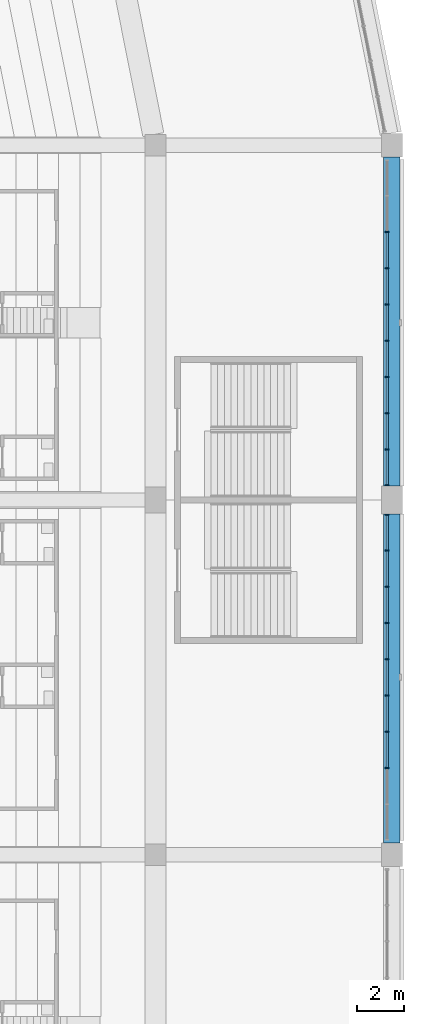
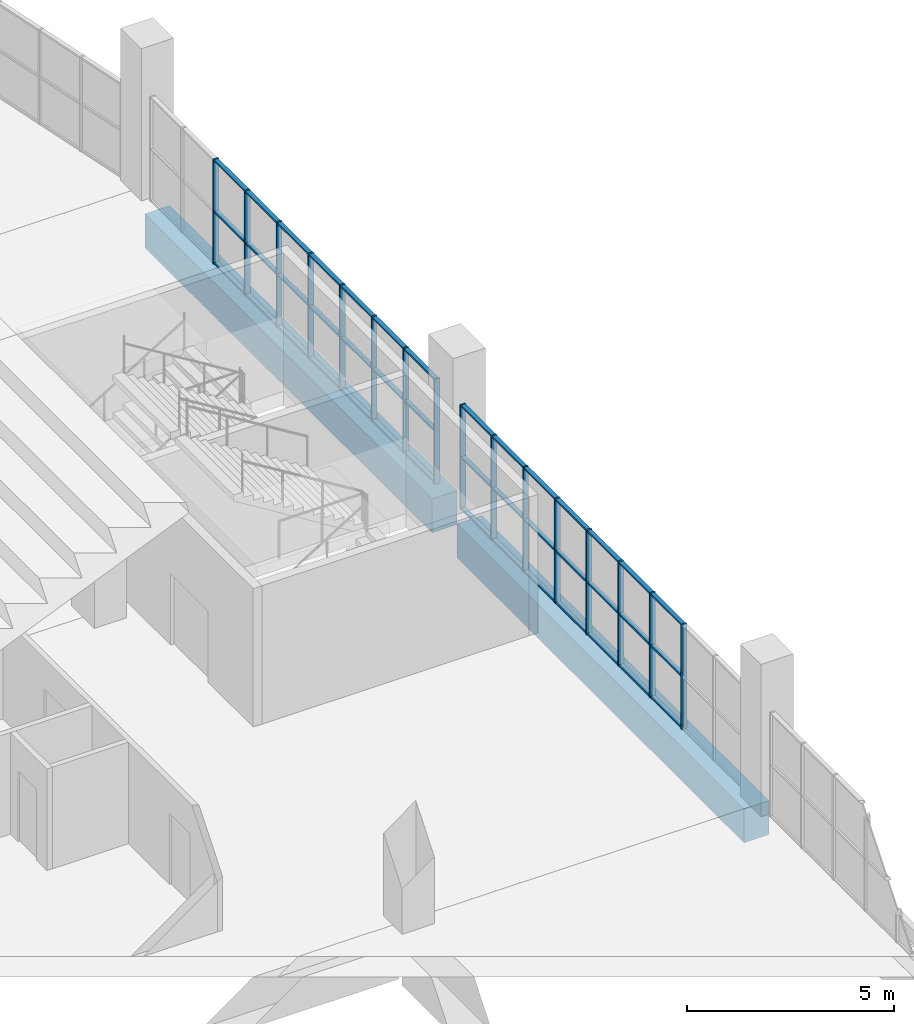
# One storey, part 55 of 249: 58 members, 2 beams, 2 elements without a shape of their own.
"""IFC4 building model written with IfcOpenShell, lengths in metres."""

from ifc_helpers import new_model, si_unit, direction, frame, origin, origin_2d, place, context, subcontext, project, spatial, rectangle, extrude, material, material_profile, profile_set, type_object, element, aggregate, save


model = new_model("IFC4")

# Units and contexts
model_context = context("Model", 3, precision=1e-05, world=origin(), true_north=direction((0.0, 1.0)))
body_context = subcontext(model_context, "Body", "Model", "MODEL_VIEW")
ifc_project = project(units=[si_unit("LENGTHUNIT", "METRE"), si_unit("AREAUNIT", "SQUARE_METRE"), si_unit("VOLUMEUNIT", "CUBIC_METRE"), si_unit("PLANEANGLEUNIT", "RADIAN"), si_unit("MASSUNIT", "GRAM", prefix="KILO")], contexts=[model_context])

# Site, building, storey
site_placement = place(None, origin())
site = spatial("IfcSite", under=ifc_project, at=site_placement, CompositionType="ELEMENT")
building_placement = place(site_placement, origin())
building = spatial("IfcBuilding", under=site, at=building_placement, Name="Ogive Plaza Stadium", CompositionType="ELEMENT")
storey_placement = place(building_placement, frame((0.0, 0.0, 13.5)))
storey = spatial("IfcBuildingStorey", under=building, at=storey_placement, Name="L03", CompositionType="ELEMENT", Elevation=13.5)

# Curtain wall, members
ifc_material_1 = material(Name="Bronze-anodised aluminium with laminated glass", Category="aluminium")
curtain_wall_type = type_object("IfcCurtainWallType", Name="Lancet curtain wall", PredefinedType="NOTDEFINED", material=ifc_material_1)
curtain_wall_1_placement = place(storey_placement, origin())
curtain_wall_1 = element("IfcCurtainWall", 1, at=curtain_wall_1_placement, inside=storey, type_object=curtain_wall_type, Name="CURTAIN WALL B01 L03", PredefinedType="NOTDEFINED")
ifc_material_2 = material(Name="Bronze-anodised aluminium", Category="aluminium")
ifc_material_profile_1 = material_profile(ifc_material_2, rectangle(XDim=0.14990234375, YDim=0.050048828125, at=origin_2d()), Name="AL 150x50")
ifc_profile_set_1 = profile_set([ifc_material_profile_1], Name="Bronze-anodised aluminium")
member_type_1 = type_object("IfcMemberType", Name="Curtain wall mullion 50x150", PredefinedType="MULLION", material=ifc_profile_set_1)
member_1_placement = place(storey_placement, frame((83.800048828125, 48.833251953125, 0.0), z_axis=(0.0, 0.0, 1.0), x_axis=(1.0, 0.0, 0.0)))
member_1 = element("IfcMember", 2, at=member_1_placement, type_object=member_type_1, Name="CW-B01-L03 mullion 3", PredefinedType="MULLION", context=body_context, shape_type="SweptSolid", body=[
    extrude(rectangle(XDim=0.14990234375, YDim=0.050048828125, at=origin_2d()), origin(), (0.0, 0.0, 1.0), 3.090087890625),
])
member_2_placement = place(storey_placement, frame((83.800048828125, 47.300048828125, 0.0), z_axis=(0.0, 0.0, 1.0), x_axis=(1.0, 0.0, 0.0)))
member_2 = element("IfcMember", 3, at=member_2_placement, type_object=member_type_1, Name="CW-B01-L03 mullion 4", PredefinedType="MULLION", context=body_context, shape_type="SweptSolid", body=[
    extrude(rectangle(XDim=0.14990234375, YDim=0.050048828125, at=origin_2d()), origin(), (0.0, 0.0, 1.0), 3.090087890625),
])
member_3_placement = place(storey_placement, frame((83.800048828125, 45.7666015625, 0.0), z_axis=(0.0, 0.0, 1.0), x_axis=(1.0, 0.0, 0.0)))
member_3 = element("IfcMember", 4, at=member_3_placement, type_object=member_type_1, Name="CW-B01-L03 mullion 5", PredefinedType="MULLION", context=body_context, shape_type="SweptSolid", body=[
    extrude(rectangle(XDim=0.14990234375, YDim=0.050048828125, at=origin_2d()), origin(), (0.0, 0.0, 1.0), 3.090087890625),
])
member_4_placement = place(storey_placement, frame((83.800048828125, 44.2333984375, 0.0), z_axis=(0.0, 0.0, 1.0), x_axis=(1.0, 0.0, 0.0)))
member_4 = element("IfcMember", 5, at=member_4_placement, type_object=member_type_1, Name="CW-B01-L03 mullion 6", PredefinedType="MULLION", context=body_context, shape_type="SweptSolid", body=[
    extrude(rectangle(XDim=0.14990234375, YDim=0.050048828125, at=origin_2d()), origin(), (0.0, 0.0, 1.0), 3.090087890625),
])
member_5_placement = place(storey_placement, frame((83.800048828125, 42.699951171875, 0.0), z_axis=(0.0, 0.0, 1.0), x_axis=(1.0, 0.0, 0.0)))
member_5 = element("IfcMember", 6, at=member_5_placement, type_object=member_type_1, Name="CW-B01-L03 mullion 7", PredefinedType="MULLION", context=body_context, shape_type="SweptSolid", body=[
    extrude(rectangle(XDim=0.14990234375, YDim=0.050048828125, at=origin_2d()), origin(), (0.0, 0.0, 1.0), 3.090087890625),
])
member_6_placement = place(storey_placement, frame((83.800048828125, 41.166748046875, 0.0), z_axis=(0.0, 0.0, 1.0), x_axis=(1.0, 0.0, 0.0)))
member_6 = element("IfcMember", 7, at=member_6_placement, type_object=member_type_1, Name="CW-B01-L03 mullion 8", PredefinedType="MULLION", context=body_context, shape_type="SweptSolid", body=[
    extrude(rectangle(XDim=0.14990234375, YDim=0.050048828125, at=origin_2d()), origin(), (0.0, 0.0, 1.0), 3.090087890625),
])
member_7_placement = place(storey_placement, frame((83.800048828125, 39.63330078125, 0.0), z_axis=(0.0, 0.0, 1.0), x_axis=(1.0, 0.0, 0.0)))
member_7 = element("IfcMember", 8, at=member_7_placement, type_object=member_type_1, Name="CW-B01-L03 mullion 9", PredefinedType="MULLION", context=body_context, shape_type="SweptSolid", body=[
    extrude(rectangle(XDim=0.14990234375, YDim=0.050048828125, at=origin_2d()), origin(), (0.0, 0.0, 1.0), 3.090087890625),
])
member_8_placement = place(storey_placement, frame((83.800048828125, 38.125, 0.0), z_axis=(0.0, 0.0, 1.0), x_axis=(1.0, 0.0, 0.0)))
member_8 = element("IfcMember", 9, at=member_8_placement, type_object=member_type_1, Name="CW-B01-L03 mullion 10", PredefinedType="MULLION", context=body_context, shape_type="SweptSolid", body=[
    extrude(rectangle(XDim=0.14990234375, YDim=0.050048828125, at=origin_2d()), origin(), (0.0, 0.0, 1.0), 3.090087890625),
])

curtain_wall_2_placement = place(storey_placement, origin())
curtain_wall_2 = element("IfcCurtainWall", 10, at=curtain_wall_2_placement, inside=storey, type_object=curtain_wall_type, Name="CURTAIN WALL B02 L03", PredefinedType="NOTDEFINED")
member_9_placement = place(storey_placement, frame((83.800048828125, 36.875, 0.0), z_axis=(0.0, 0.0, 1.0), x_axis=(1.0, 0.0, 0.0)))
member_9 = element("IfcMember", 11, at=member_9_placement, type_object=member_type_1, Name="CW-B02-L03 mullion 1", PredefinedType="MULLION", context=body_context, shape_type="SweptSolid", body=[
    extrude(rectangle(XDim=0.14990234375, YDim=0.050048828125, at=origin_2d()), origin(), (0.0, 0.0, 1.0), 3.090087890625),
])
member_10_placement = place(storey_placement, frame((83.800048828125, 35.36669921875, 0.0), z_axis=(0.0, 0.0, 1.0), x_axis=(1.0, 0.0, 0.0)))
member_10 = element("IfcMember", 12, at=member_10_placement, type_object=member_type_1, Name="CW-B02-L03 mullion 2", PredefinedType="MULLION", context=body_context, shape_type="SweptSolid", body=[
    extrude(rectangle(XDim=0.14990234375, YDim=0.050048828125, at=origin_2d()), origin(), (0.0, 0.0, 1.0), 3.090087890625),
])
member_11_placement = place(storey_placement, frame((83.800048828125, 33.833251953125, 0.0), z_axis=(0.0, 0.0, 1.0), x_axis=(1.0, 0.0, 0.0)))
member_11 = element("IfcMember", 13, at=member_11_placement, type_object=member_type_1, Name="CW-B02-L03 mullion 3", PredefinedType="MULLION", context=body_context, shape_type="SweptSolid", body=[
    extrude(rectangle(XDim=0.14990234375, YDim=0.050048828125, at=origin_2d()), origin(), (0.0, 0.0, 1.0), 3.090087890625),
])
member_12_placement = place(storey_placement, frame((83.800048828125, 32.300048828125, 0.0), z_axis=(0.0, 0.0, 1.0), x_axis=(1.0, 0.0, 0.0)))
member_12 = element("IfcMember", 14, at=member_12_placement, type_object=member_type_1, Name="CW-B02-L03 mullion 4", PredefinedType="MULLION", context=body_context, shape_type="SweptSolid", body=[
    extrude(rectangle(XDim=0.14990234375, YDim=0.050048828125, at=origin_2d()), origin(), (0.0, 0.0, 1.0), 3.090087890625),
])
member_13_placement = place(storey_placement, frame((83.800048828125, 30.7666015625, 0.0), z_axis=(0.0, 0.0, 1.0), x_axis=(1.0, 0.0, 0.0)))
member_13 = element("IfcMember", 15, at=member_13_placement, type_object=member_type_1, Name="CW-B02-L03 mullion 5", PredefinedType="MULLION", context=body_context, shape_type="SweptSolid", body=[
    extrude(rectangle(XDim=0.14990234375, YDim=0.050048828125, at=origin_2d()), origin(), (0.0, 0.0, 1.0), 3.090087890625),
])
member_14_placement = place(storey_placement, frame((83.800048828125, 29.2333984375, 0.0), z_axis=(0.0, 0.0, 1.0), x_axis=(1.0, 0.0, 0.0)))
member_14 = element("IfcMember", 16, at=member_14_placement, type_object=member_type_1, Name="CW-B02-L03 mullion 6", PredefinedType="MULLION", context=body_context, shape_type="SweptSolid", body=[
    extrude(rectangle(XDim=0.14990234375, YDim=0.050048828125, at=origin_2d()), origin(), (0.0, 0.0, 1.0), 3.090087890625),
])
member_15_placement = place(storey_placement, frame((83.800048828125, 27.699951171875, 0.0), z_axis=(0.0, 0.0, 1.0), x_axis=(1.0, 0.0, 0.0)))
member_15 = element("IfcMember", 17, at=member_15_placement, type_object=member_type_1, Name="CW-B02-L03 mullion 7", PredefinedType="MULLION", context=body_context, shape_type="SweptSolid", body=[
    extrude(rectangle(XDim=0.14990234375, YDim=0.050048828125, at=origin_2d()), origin(), (0.0, 0.0, 1.0), 3.090087890625),
])
member_16_placement = place(storey_placement, frame((83.800048828125, 26.166748046875, 0.0), z_axis=(0.0, 0.0, 1.0), x_axis=(1.0, 0.0, 0.0)))
member_16 = element("IfcMember", 18, at=member_16_placement, type_object=member_type_1, Name="CW-B02-L03 mullion 8", PredefinedType="MULLION", context=body_context, shape_type="SweptSolid", body=[
    extrude(rectangle(XDim=0.14990234375, YDim=0.050048828125, at=origin_2d()), origin(), (0.0, 0.0, 1.0), 3.090087890625),
])

# Member
ifc_material_3 = material(Name="Bronze-anodised aluminium", Category="aluminium")
ifc_material_profile_2 = material_profile(ifc_material_3, rectangle(XDim=0.1201171875, YDim=0.050048828125, at=origin_2d()), Name="AL 120x50")
ifc_profile_set_2 = profile_set([ifc_material_profile_2], Name="Bronze-anodised aluminium")
member_type_2 = type_object("IfcMemberType", Name="Curtain wall transom 50x120", PredefinedType="USERDEFINED", material=ifc_profile_set_2)
member_17_placement = place(storey_placement, frame((83.800048828125, 48.808349609375, 0.02490234375), z_axis=(0.0, -1.0, 0.0), x_axis=(1.0, 0.0, 0.0)))
member_17 = element("IfcMember", 19, at=member_17_placement, type_object=member_type_2, Name="CW-B01-L03 transom 3.1", ObjectType="TRANSOM", PredefinedType="USERDEFINED", context=body_context, shape_type="SweptSolid", body=[
    extrude(rectangle(XDim=0.1201171875, YDim=0.050048828125, at=origin_2d()), origin(), (0.0, 0.0, 1.0), 1.4833984375),
])

member_18_placement = place(storey_placement, frame((83.800048828125, 48.808349609375, 1.544921875), z_axis=(0.0, -1.0, 0.0), x_axis=(1.0, 0.0, 0.0)))
member_18 = element("IfcMember", 20, at=member_18_placement, type_object=member_type_2, Name="CW-B01-L03 transom 3.2", ObjectType="TRANSOM", PredefinedType="USERDEFINED", context=body_context, shape_type="SweptSolid", body=[
    extrude(rectangle(XDim=0.1201171875, YDim=0.050048828125, at=origin_2d()), origin(), (0.0, 0.0, 1.0), 1.4833984375),
])

member_19_placement = place(storey_placement, frame((83.800048828125, 48.808349609375, 3.06494140625), z_axis=(0.0, -1.0, 0.0), x_axis=(1.0, 0.0, 0.0)))
member_19 = element("IfcMember", 21, at=member_19_placement, type_object=member_type_2, Name="CW-B01-L03 transom 3.3", ObjectType="TRANSOM", PredefinedType="USERDEFINED", context=body_context, shape_type="SweptSolid", body=[
    extrude(rectangle(XDim=0.1201171875, YDim=0.050048828125, at=origin_2d()), origin(), (0.0, 0.0, 1.0), 1.4833984375),
])

member_20_placement = place(storey_placement, frame((83.800048828125, 47.27490234375, 0.02490234375), z_axis=(0.0, -1.0, 0.0), x_axis=(1.0, 0.0, 0.0)))
member_20 = element("IfcMember", 22, at=member_20_placement, type_object=member_type_2, Name="CW-B01-L03 transom 4.1", ObjectType="TRANSOM", PredefinedType="USERDEFINED", context=body_context, shape_type="SweptSolid", body=[
    extrude(rectangle(XDim=0.1201171875, YDim=0.050048828125, at=origin_2d()), origin(), (0.0, 0.0, 1.0), 1.483154296875),
])

member_21_placement = place(storey_placement, frame((83.800048828125, 47.27490234375, 1.544921875), z_axis=(0.0, -1.0, 0.0), x_axis=(1.0, 0.0, 0.0)))
member_21 = element("IfcMember", 23, at=member_21_placement, type_object=member_type_2, Name="CW-B01-L03 transom 4.2", ObjectType="TRANSOM", PredefinedType="USERDEFINED", context=body_context, shape_type="SweptSolid", body=[
    extrude(rectangle(XDim=0.1201171875, YDim=0.050048828125, at=origin_2d()), origin(), (0.0, 0.0, 1.0), 1.483154296875),
])

member_22_placement = place(storey_placement, frame((83.800048828125, 47.27490234375, 3.06494140625), z_axis=(0.0, -1.0, 0.0), x_axis=(1.0, 0.0, 0.0)))
member_22 = element("IfcMember", 24, at=member_22_placement, type_object=member_type_2, Name="CW-B01-L03 transom 4.3", ObjectType="TRANSOM", PredefinedType="USERDEFINED", context=body_context, shape_type="SweptSolid", body=[
    extrude(rectangle(XDim=0.1201171875, YDim=0.050048828125, at=origin_2d()), origin(), (0.0, 0.0, 1.0), 1.483154296875),
])

member_23_placement = place(storey_placement, frame((83.800048828125, 45.74169921875, 0.02490234375), z_axis=(0.0, -1.0, 0.0), x_axis=(1.0, 0.0, 0.0)))
member_23 = element("IfcMember", 25, at=member_23_placement, type_object=member_type_2, Name="CW-B01-L03 transom 5.1", ObjectType="TRANSOM", PredefinedType="USERDEFINED", context=body_context, shape_type="SweptSolid", body=[
    extrude(rectangle(XDim=0.1201171875, YDim=0.050048828125, at=origin_2d()), origin(), (0.0, 0.0, 1.0), 1.4833984375),
])

member_24_placement = place(storey_placement, frame((83.800048828125, 45.74169921875, 1.544921875), z_axis=(0.0, -1.0, 0.0), x_axis=(1.0, 0.0, 0.0)))
member_24 = element("IfcMember", 26, at=member_24_placement, type_object=member_type_2, Name="CW-B01-L03 transom 5.2", ObjectType="TRANSOM", PredefinedType="USERDEFINED", context=body_context, shape_type="SweptSolid", body=[
    extrude(rectangle(XDim=0.1201171875, YDim=0.050048828125, at=origin_2d()), origin(), (0.0, 0.0, 1.0), 1.4833984375),
])

member_25_placement = place(storey_placement, frame((83.800048828125, 45.74169921875, 3.06494140625), z_axis=(0.0, -1.0, 0.0), x_axis=(1.0, 0.0, 0.0)))
member_25 = element("IfcMember", 27, at=member_25_placement, type_object=member_type_2, Name="CW-B01-L03 transom 5.3", ObjectType="TRANSOM", PredefinedType="USERDEFINED", context=body_context, shape_type="SweptSolid", body=[
    extrude(rectangle(XDim=0.1201171875, YDim=0.050048828125, at=origin_2d()), origin(), (0.0, 0.0, 1.0), 1.4833984375),
])

member_26_placement = place(storey_placement, frame((83.800048828125, 44.208251953125, 0.02490234375), z_axis=(0.0, -1.0, 0.0), x_axis=(1.0, 0.0, 0.0)))
member_26 = element("IfcMember", 28, at=member_26_placement, type_object=member_type_2, Name="CW-B01-L03 transom 6.1", ObjectType="TRANSOM", PredefinedType="USERDEFINED", context=body_context, shape_type="SweptSolid", body=[
    extrude(rectangle(XDim=0.1201171875, YDim=0.050048828125, at=origin_2d()), origin(), (0.0, 0.0, 1.0), 1.483154296875),
])

member_27_placement = place(storey_placement, frame((83.800048828125, 44.208251953125, 1.544921875), z_axis=(0.0, -1.0, 0.0), x_axis=(1.0, 0.0, 0.0)))
member_27 = element("IfcMember", 29, at=member_27_placement, type_object=member_type_2, Name="CW-B01-L03 transom 6.2", ObjectType="TRANSOM", PredefinedType="USERDEFINED", context=body_context, shape_type="SweptSolid", body=[
    extrude(rectangle(XDim=0.1201171875, YDim=0.050048828125, at=origin_2d()), origin(), (0.0, 0.0, 1.0), 1.483154296875),
])

member_28_placement = place(storey_placement, frame((83.800048828125, 44.208251953125, 3.06494140625), z_axis=(0.0, -1.0, 0.0), x_axis=(1.0, 0.0, 0.0)))
member_28 = element("IfcMember", 30, at=member_28_placement, type_object=member_type_2, Name="CW-B01-L03 transom 6.3", ObjectType="TRANSOM", PredefinedType="USERDEFINED", context=body_context, shape_type="SweptSolid", body=[
    extrude(rectangle(XDim=0.1201171875, YDim=0.050048828125, at=origin_2d()), origin(), (0.0, 0.0, 1.0), 1.483154296875),
])

member_29_placement = place(storey_placement, frame((83.800048828125, 42.675048828125, 0.02490234375), z_axis=(0.0, -1.0, 0.0), x_axis=(1.0, 0.0, 0.0)))
member_29 = element("IfcMember", 31, at=member_29_placement, type_object=member_type_2, Name="CW-B01-L03 transom 7.1", ObjectType="TRANSOM", PredefinedType="USERDEFINED", context=body_context, shape_type="SweptSolid", body=[
    extrude(rectangle(XDim=0.1201171875, YDim=0.050048828125, at=origin_2d()), origin(), (0.0, 0.0, 1.0), 1.4833984375),
])

member_30_placement = place(storey_placement, frame((83.800048828125, 42.675048828125, 1.544921875), z_axis=(0.0, -1.0, 0.0), x_axis=(1.0, 0.0, 0.0)))
member_30 = element("IfcMember", 32, at=member_30_placement, type_object=member_type_2, Name="CW-B01-L03 transom 7.2", ObjectType="TRANSOM", PredefinedType="USERDEFINED", context=body_context, shape_type="SweptSolid", body=[
    extrude(rectangle(XDim=0.1201171875, YDim=0.050048828125, at=origin_2d()), origin(), (0.0, 0.0, 1.0), 1.4833984375),
])

member_31_placement = place(storey_placement, frame((83.800048828125, 42.675048828125, 3.06494140625), z_axis=(0.0, -1.0, 0.0), x_axis=(1.0, 0.0, 0.0)))
member_31 = element("IfcMember", 33, at=member_31_placement, type_object=member_type_2, Name="CW-B01-L03 transom 7.3", ObjectType="TRANSOM", PredefinedType="USERDEFINED", context=body_context, shape_type="SweptSolid", body=[
    extrude(rectangle(XDim=0.1201171875, YDim=0.050048828125, at=origin_2d()), origin(), (0.0, 0.0, 1.0), 1.4833984375),
])

member_32_placement = place(storey_placement, frame((83.800048828125, 41.1416015625, 0.02490234375), z_axis=(0.0, -1.0, 0.0), x_axis=(1.0, 0.0, 0.0)))
member_32 = element("IfcMember", 34, at=member_32_placement, type_object=member_type_2, Name="CW-B01-L03 transom 8.1", ObjectType="TRANSOM", PredefinedType="USERDEFINED", context=body_context, shape_type="SweptSolid", body=[
    extrude(rectangle(XDim=0.1201171875, YDim=0.050048828125, at=origin_2d()), origin(), (0.0, 0.0, 1.0), 1.483154296875),
])

member_33_placement = place(storey_placement, frame((83.800048828125, 41.1416015625, 1.544921875), z_axis=(0.0, -1.0, 0.0), x_axis=(1.0, 0.0, 0.0)))
member_33 = element("IfcMember", 35, at=member_33_placement, type_object=member_type_2, Name="CW-B01-L03 transom 8.2", ObjectType="TRANSOM", PredefinedType="USERDEFINED", context=body_context, shape_type="SweptSolid", body=[
    extrude(rectangle(XDim=0.1201171875, YDim=0.050048828125, at=origin_2d()), origin(), (0.0, 0.0, 1.0), 1.483154296875),
])

member_34_placement = place(storey_placement, frame((83.800048828125, 41.1416015625, 3.06494140625), z_axis=(0.0, -1.0, 0.0), x_axis=(1.0, 0.0, 0.0)))
member_34 = element("IfcMember", 36, at=member_34_placement, type_object=member_type_2, Name="CW-B01-L03 transom 8.3", ObjectType="TRANSOM", PredefinedType="USERDEFINED", context=body_context, shape_type="SweptSolid", body=[
    extrude(rectangle(XDim=0.1201171875, YDim=0.050048828125, at=origin_2d()), origin(), (0.0, 0.0, 1.0), 1.483154296875),
])

member_35_placement = place(storey_placement, frame((83.800048828125, 39.6083984375, 0.02490234375), z_axis=(0.0, -1.0, 0.0), x_axis=(1.0, 0.0, 0.0)))
member_35 = element("IfcMember", 37, at=member_35_placement, type_object=member_type_2, Name="CW-B01-L03 transom 9.1", ObjectType="TRANSOM", PredefinedType="USERDEFINED", context=body_context, shape_type="SweptSolid", body=[
    extrude(rectangle(XDim=0.1201171875, YDim=0.050048828125, at=origin_2d()), origin(), (0.0, 0.0, 1.0), 1.45849609375),
])

member_36_placement = place(storey_placement, frame((83.800048828125, 39.6083984375, 1.544921875), z_axis=(0.0, -1.0, 0.0), x_axis=(1.0, 0.0, 0.0)))
member_36 = element("IfcMember", 38, at=member_36_placement, type_object=member_type_2, Name="CW-B01-L03 transom 9.2", ObjectType="TRANSOM", PredefinedType="USERDEFINED", context=body_context, shape_type="SweptSolid", body=[
    extrude(rectangle(XDim=0.1201171875, YDim=0.050048828125, at=origin_2d()), origin(), (0.0, 0.0, 1.0), 1.45849609375),
])

member_37_placement = place(storey_placement, frame((83.800048828125, 39.6083984375, 3.06494140625), z_axis=(0.0, -1.0, 0.0), x_axis=(1.0, 0.0, 0.0)))
member_37 = element("IfcMember", 39, at=member_37_placement, type_object=member_type_2, Name="CW-B01-L03 transom 9.3", ObjectType="TRANSOM", PredefinedType="USERDEFINED", context=body_context, shape_type="SweptSolid", body=[
    extrude(rectangle(XDim=0.1201171875, YDim=0.050048828125, at=origin_2d()), origin(), (0.0, 0.0, 1.0), 1.45849609375),
])

aggregate(curtain_wall_1, [member_1, member_2, member_3, member_4, member_5, member_6, member_7, member_8, member_17, member_18, member_19, member_20, member_21, member_22, member_23, member_24, member_25, member_26, member_27, member_28, member_29, member_30, member_31, member_32, member_33, member_34, member_35, member_36, member_37])

member_38_placement = place(storey_placement, frame((83.800048828125, 36.85009765625, 0.02490234375), z_axis=(0.0, -1.0, 0.0), x_axis=(1.0, 0.0, 0.0)))
member_38 = element("IfcMember", 40, at=member_38_placement, type_object=member_type_2, Name="CW-B02-L03 transom 1.1", ObjectType="TRANSOM", PredefinedType="USERDEFINED", context=body_context, shape_type="SweptSolid", body=[
    extrude(rectangle(XDim=0.1201171875, YDim=0.050048828125, at=origin_2d()), origin(), (0.0, 0.0, 1.0), 1.45849609375),
])

member_39_placement = place(storey_placement, frame((83.800048828125, 36.85009765625, 1.544921875), z_axis=(0.0, -1.0, 0.0), x_axis=(1.0, 0.0, 0.0)))
member_39 = element("IfcMember", 41, at=member_39_placement, type_object=member_type_2, Name="CW-B02-L03 transom 1.2", ObjectType="TRANSOM", PredefinedType="USERDEFINED", context=body_context, shape_type="SweptSolid", body=[
    extrude(rectangle(XDim=0.1201171875, YDim=0.050048828125, at=origin_2d()), origin(), (0.0, 0.0, 1.0), 1.45849609375),
])

member_40_placement = place(storey_placement, frame((83.800048828125, 36.85009765625, 3.06494140625), z_axis=(0.0, -1.0, 0.0), x_axis=(1.0, 0.0, 0.0)))
member_40 = element("IfcMember", 42, at=member_40_placement, type_object=member_type_2, Name="CW-B02-L03 transom 1.3", ObjectType="TRANSOM", PredefinedType="USERDEFINED", context=body_context, shape_type="SweptSolid", body=[
    extrude(rectangle(XDim=0.1201171875, YDim=0.050048828125, at=origin_2d()), origin(), (0.0, 0.0, 1.0), 1.45849609375),
])

member_41_placement = place(storey_placement, frame((83.800048828125, 35.341552734375, 0.02490234375), z_axis=(0.0, -1.0, 0.0), x_axis=(1.0, 0.0, 0.0)))
member_41 = element("IfcMember", 43, at=member_41_placement, type_object=member_type_2, Name="CW-B02-L03 transom 2.1", ObjectType="TRANSOM", PredefinedType="USERDEFINED", context=body_context, shape_type="SweptSolid", body=[
    extrude(rectangle(XDim=0.1201171875, YDim=0.050048828125, at=origin_2d()), origin(), (0.0, 0.0, 1.0), 1.483154296875),
])

member_42_placement = place(storey_placement, frame((83.800048828125, 35.341552734375, 1.544921875), z_axis=(0.0, -1.0, 0.0), x_axis=(1.0, 0.0, 0.0)))
member_42 = element("IfcMember", 44, at=member_42_placement, type_object=member_type_2, Name="CW-B02-L03 transom 2.2", ObjectType="TRANSOM", PredefinedType="USERDEFINED", context=body_context, shape_type="SweptSolid", body=[
    extrude(rectangle(XDim=0.1201171875, YDim=0.050048828125, at=origin_2d()), origin(), (0.0, 0.0, 1.0), 1.483154296875),
])

member_43_placement = place(storey_placement, frame((83.800048828125, 35.341552734375, 3.06494140625), z_axis=(0.0, -1.0, 0.0), x_axis=(1.0, 0.0, 0.0)))
member_43 = element("IfcMember", 45, at=member_43_placement, type_object=member_type_2, Name="CW-B02-L03 transom 2.3", ObjectType="TRANSOM", PredefinedType="USERDEFINED", context=body_context, shape_type="SweptSolid", body=[
    extrude(rectangle(XDim=0.1201171875, YDim=0.050048828125, at=origin_2d()), origin(), (0.0, 0.0, 1.0), 1.483154296875),
])

member_44_placement = place(storey_placement, frame((83.800048828125, 33.808349609375, 0.02490234375), z_axis=(0.0, -1.0, 0.0), x_axis=(1.0, 0.0, 0.0)))
member_44 = element("IfcMember", 46, at=member_44_placement, type_object=member_type_2, Name="CW-B02-L03 transom 3.1", ObjectType="TRANSOM", PredefinedType="USERDEFINED", context=body_context, shape_type="SweptSolid", body=[
    extrude(rectangle(XDim=0.1201171875, YDim=0.050048828125, at=origin_2d()), origin(), (0.0, 0.0, 1.0), 1.4833984375),
])

member_45_placement = place(storey_placement, frame((83.800048828125, 33.808349609375, 1.544921875), z_axis=(0.0, -1.0, 0.0), x_axis=(1.0, 0.0, 0.0)))
member_45 = element("IfcMember", 47, at=member_45_placement, type_object=member_type_2, Name="CW-B02-L03 transom 3.2", ObjectType="TRANSOM", PredefinedType="USERDEFINED", context=body_context, shape_type="SweptSolid", body=[
    extrude(rectangle(XDim=0.1201171875, YDim=0.050048828125, at=origin_2d()), origin(), (0.0, 0.0, 1.0), 1.4833984375),
])

member_46_placement = place(storey_placement, frame((83.800048828125, 33.808349609375, 3.06494140625), z_axis=(0.0, -1.0, 0.0), x_axis=(1.0, 0.0, 0.0)))
member_46 = element("IfcMember", 48, at=member_46_placement, type_object=member_type_2, Name="CW-B02-L03 transom 3.3", ObjectType="TRANSOM", PredefinedType="USERDEFINED", context=body_context, shape_type="SweptSolid", body=[
    extrude(rectangle(XDim=0.1201171875, YDim=0.050048828125, at=origin_2d()), origin(), (0.0, 0.0, 1.0), 1.4833984375),
])

member_47_placement = place(storey_placement, frame((83.800048828125, 32.27490234375, 0.02490234375), z_axis=(0.0, -1.0, 0.0), x_axis=(1.0, 0.0, 0.0)))
member_47 = element("IfcMember", 49, at=member_47_placement, type_object=member_type_2, Name="CW-B02-L03 transom 4.1", ObjectType="TRANSOM", PredefinedType="USERDEFINED", context=body_context, shape_type="SweptSolid", body=[
    extrude(rectangle(XDim=0.1201171875, YDim=0.050048828125, at=origin_2d()), origin(), (0.0, 0.0, 1.0), 1.483154296875),
])

member_48_placement = place(storey_placement, frame((83.800048828125, 32.27490234375, 1.544921875), z_axis=(0.0, -1.0, 0.0), x_axis=(1.0, 0.0, 0.0)))
member_48 = element("IfcMember", 50, at=member_48_placement, type_object=member_type_2, Name="CW-B02-L03 transom 4.2", ObjectType="TRANSOM", PredefinedType="USERDEFINED", context=body_context, shape_type="SweptSolid", body=[
    extrude(rectangle(XDim=0.1201171875, YDim=0.050048828125, at=origin_2d()), origin(), (0.0, 0.0, 1.0), 1.483154296875),
])

member_49_placement = place(storey_placement, frame((83.800048828125, 32.27490234375, 3.06494140625), z_axis=(0.0, -1.0, 0.0), x_axis=(1.0, 0.0, 0.0)))
member_49 = element("IfcMember", 51, at=member_49_placement, type_object=member_type_2, Name="CW-B02-L03 transom 4.3", ObjectType="TRANSOM", PredefinedType="USERDEFINED", context=body_context, shape_type="SweptSolid", body=[
    extrude(rectangle(XDim=0.1201171875, YDim=0.050048828125, at=origin_2d()), origin(), (0.0, 0.0, 1.0), 1.483154296875),
])

member_50_placement = place(storey_placement, frame((83.800048828125, 30.74169921875, 0.02490234375), z_axis=(0.0, -1.0, 0.0), x_axis=(1.0, 0.0, 0.0)))
member_50 = element("IfcMember", 52, at=member_50_placement, type_object=member_type_2, Name="CW-B02-L03 transom 5.1", ObjectType="TRANSOM", PredefinedType="USERDEFINED", context=body_context, shape_type="SweptSolid", body=[
    extrude(rectangle(XDim=0.1201171875, YDim=0.050048828125, at=origin_2d()), origin(), (0.0, 0.0, 1.0), 1.4833984375),
])

member_51_placement = place(storey_placement, frame((83.800048828125, 30.74169921875, 1.544921875), z_axis=(0.0, -1.0, 0.0), x_axis=(1.0, 0.0, 0.0)))
member_51 = element("IfcMember", 53, at=member_51_placement, type_object=member_type_2, Name="CW-B02-L03 transom 5.2", ObjectType="TRANSOM", PredefinedType="USERDEFINED", context=body_context, shape_type="SweptSolid", body=[
    extrude(rectangle(XDim=0.1201171875, YDim=0.050048828125, at=origin_2d()), origin(), (0.0, 0.0, 1.0), 1.4833984375),
])

member_52_placement = place(storey_placement, frame((83.800048828125, 30.74169921875, 3.06494140625), z_axis=(0.0, -1.0, 0.0), x_axis=(1.0, 0.0, 0.0)))
member_52 = element("IfcMember", 54, at=member_52_placement, type_object=member_type_2, Name="CW-B02-L03 transom 5.3", ObjectType="TRANSOM", PredefinedType="USERDEFINED", context=body_context, shape_type="SweptSolid", body=[
    extrude(rectangle(XDim=0.1201171875, YDim=0.050048828125, at=origin_2d()), origin(), (0.0, 0.0, 1.0), 1.4833984375),
])

member_53_placement = place(storey_placement, frame((83.800048828125, 29.208251953125, 0.02490234375), z_axis=(0.0, -1.0, 0.0), x_axis=(1.0, 0.0, 0.0)))
member_53 = element("IfcMember", 55, at=member_53_placement, type_object=member_type_2, Name="CW-B02-L03 transom 6.1", ObjectType="TRANSOM", PredefinedType="USERDEFINED", context=body_context, shape_type="SweptSolid", body=[
    extrude(rectangle(XDim=0.1201171875, YDim=0.050048828125, at=origin_2d()), origin(), (0.0, 0.0, 1.0), 1.483154296875),
])

member_54_placement = place(storey_placement, frame((83.800048828125, 29.208251953125, 1.544921875), z_axis=(0.0, -1.0, 0.0), x_axis=(1.0, 0.0, 0.0)))
member_54 = element("IfcMember", 56, at=member_54_placement, type_object=member_type_2, Name="CW-B02-L03 transom 6.2", ObjectType="TRANSOM", PredefinedType="USERDEFINED", context=body_context, shape_type="SweptSolid", body=[
    extrude(rectangle(XDim=0.1201171875, YDim=0.050048828125, at=origin_2d()), origin(), (0.0, 0.0, 1.0), 1.483154296875),
])

member_55_placement = place(storey_placement, frame((83.800048828125, 29.208251953125, 3.06494140625), z_axis=(0.0, -1.0, 0.0), x_axis=(1.0, 0.0, 0.0)))
member_55 = element("IfcMember", 57, at=member_55_placement, type_object=member_type_2, Name="CW-B02-L03 transom 6.3", ObjectType="TRANSOM", PredefinedType="USERDEFINED", context=body_context, shape_type="SweptSolid", body=[
    extrude(rectangle(XDim=0.1201171875, YDim=0.050048828125, at=origin_2d()), origin(), (0.0, 0.0, 1.0), 1.483154296875),
])

member_56_placement = place(storey_placement, frame((83.800048828125, 27.675048828125, 0.02490234375), z_axis=(0.0, -1.0, 0.0), x_axis=(1.0, 0.0, 0.0)))
member_56 = element("IfcMember", 58, at=member_56_placement, type_object=member_type_2, Name="CW-B02-L03 transom 7.1", ObjectType="TRANSOM", PredefinedType="USERDEFINED", context=body_context, shape_type="SweptSolid", body=[
    extrude(rectangle(XDim=0.1201171875, YDim=0.050048828125, at=origin_2d()), origin(), (0.0, 0.0, 1.0), 1.4833984375),
])

member_57_placement = place(storey_placement, frame((83.800048828125, 27.675048828125, 1.544921875), z_axis=(0.0, -1.0, 0.0), x_axis=(1.0, 0.0, 0.0)))
member_57 = element("IfcMember", 59, at=member_57_placement, type_object=member_type_2, Name="CW-B02-L03 transom 7.2", ObjectType="TRANSOM", PredefinedType="USERDEFINED", context=body_context, shape_type="SweptSolid", body=[
    extrude(rectangle(XDim=0.1201171875, YDim=0.050048828125, at=origin_2d()), origin(), (0.0, 0.0, 1.0), 1.4833984375),
])

member_58_placement = place(storey_placement, frame((83.800048828125, 27.675048828125, 3.06494140625), z_axis=(0.0, -1.0, 0.0), x_axis=(1.0, 0.0, 0.0)))
member_58 = element("IfcMember", 60, at=member_58_placement, type_object=member_type_2, Name="CW-B02-L03 transom 7.3", ObjectType="TRANSOM", PredefinedType="USERDEFINED", context=body_context, shape_type="SweptSolid", body=[
    extrude(rectangle(XDim=0.1201171875, YDim=0.050048828125, at=origin_2d()), origin(), (0.0, 0.0, 1.0), 1.4833984375),
])

aggregate(curtain_wall_2, [member_9, member_10, member_11, member_12, member_13, member_14, member_15, member_16, member_38, member_39, member_40, member_41, member_42, member_43, member_44, member_45, member_46, member_47, member_48, member_49, member_50, member_51, member_52, member_53, member_54, member_55, member_56, member_57, member_58])

# Beams
ifc_material_4 = material(Name="Concrete C40/50", Category="concrete")
ifc_material_profile_3 = material_profile(ifc_material_4, rectangle(XDim=0.699951171875, YDim=1.0, at=origin_2d()), Name="RC 700x1000")
ifc_profile_set_3 = profile_set([ifc_material_profile_3], Name="Concrete C40/50")
beam_type = type_object("IfcBeamType", Name="RC spandrel beam 700x1000", PredefinedType="SPANDREL", material=ifc_profile_set_3)
for number, where, z_axis, x_axis, name in (
    (61, (84.0, 52.0, -0.909912109375), (0.0, -1.0, 0.0), (1.0, 0.0, 0.0), "Ring beam F5 L03 B01"),
    (62, (84.0, 36.89990234375, -0.909912109375), (0.0, -1.0, 0.0), (1.0, 0.0, 0.0), "Ring beam F5 L03 B02"),
):
    element("IfcBeam", number, at=place(storey_placement, frame(where, z_axis=z_axis, x_axis=x_axis)), inside=storey, type_object=beam_type, Name=name, PredefinedType="SPANDREL", context=body_context, shape_type="SweptSolid", body=[
        extrude(rectangle(XDim=0.699951171875, YDim=1.0, at=origin_2d()), origin(), (0.0, 0.0, 1.0), 13.89990234375),
    ])

save(model, "model.ifc")
